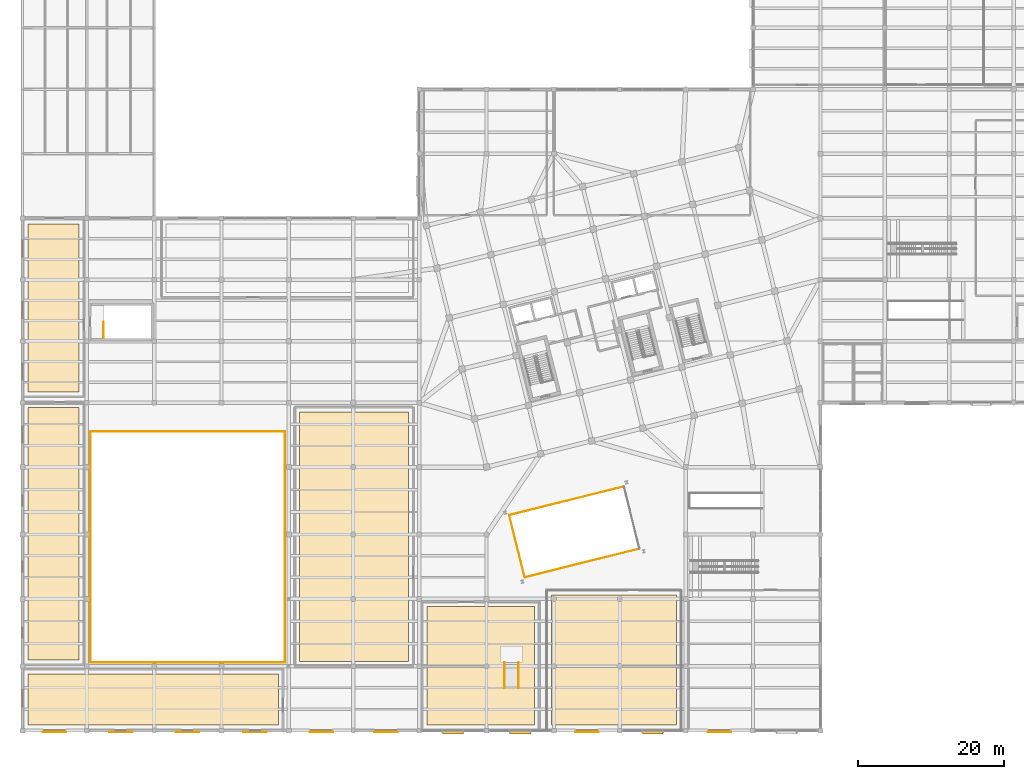
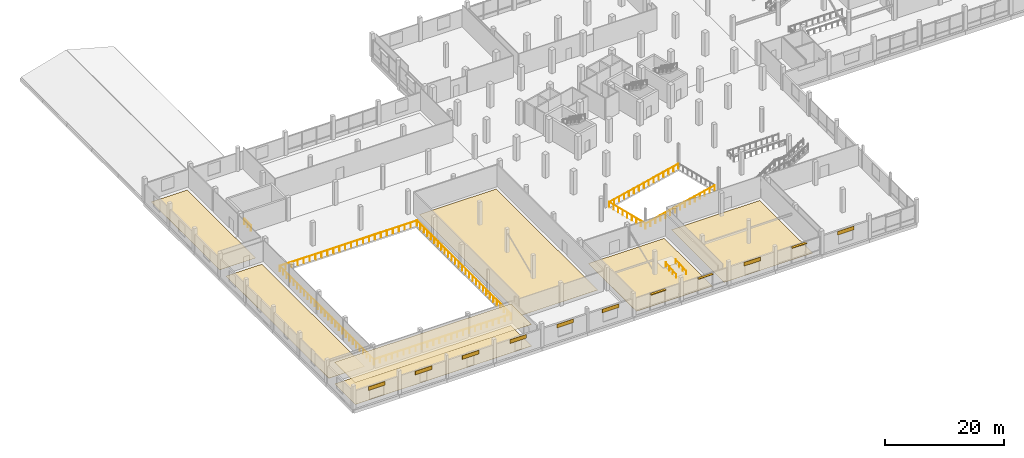
# One storey, part 67 of 71: 15 coverings, 10 railings, 3 shading devices.
"""IFC4 building model written with IfcOpenShell, lengths in metres."""

from ifc_helpers import new_model, si_unit, direction, frame, origin, origin_2d, place, context, subcontext, project, spatial, polyline, rectangle, circle, outline, extrude, material, layer, layer_set, type_object, element, save


model = new_model("IFC4")

# Units and contexts
model_context = context("Model", 3, precision=1e-05, world=origin(), true_north=direction((0.0, 1.0)))
body_context = subcontext(model_context, "Body", "Model", "MODEL_VIEW")
ifc_project = project(units=[si_unit("LENGTHUNIT", "METRE"), si_unit("AREAUNIT", "SQUARE_METRE"), si_unit("VOLUMEUNIT", "CUBIC_METRE"), si_unit("PLANEANGLEUNIT", "RADIAN"), si_unit("MASSUNIT", "GRAM", prefix="KILO")], contexts=[model_context])

# Site, building, storey
site_placement = place(None, origin())
site = spatial("IfcSite", under=ifc_project, at=site_placement, CompositionType="ELEMENT")
building_placement = place(site_placement, origin())
building = spatial("IfcBuilding", under=site, at=building_placement, Name="Meriwether Solvik Hall", CompositionType="ELEMENT")
storey_placement = place(building_placement, frame((0.0, 0.0, 5.10009765625)))
storey = spatial("IfcBuildingStorey", under=building, at=storey_placement, Name="L01", CompositionType="ELEMENT", Elevation=5.10009765625)

# Coverings
ifc_material_1 = material(Name="Moisture-Resistant Gypsum Board", Category="gypsum")
ifc_layer_1 = layer(ifc_material_1, 0.01806640625)
ifc_layer_set_1 = layer_set([ifc_layer_1], Name="Moisture-Resistant Gypsum Board")
covering_type_1 = type_object("IfcCoveringType", Name="COV-CEIL-GYP", PredefinedType="CEILING", material=ifc_layer_set_1)
covering_1_placement = place(storey_placement, frame((0.0, 0.0, 4.451904296875)))
element("IfcCovering", 1, at=covering_1_placement, inside=storey, type_object=covering_type_1, Name="Choir Rehearsal Studio Acoustic Soffit Ceiling", PredefinedType="CEILING", context=body_context, shape_type="SweptSolid", body=[
    extrude(outline(polyline([(40.14990234375, 6.0), (6.0, 6.0), (6.0, 12.949951171875), (40.14990234375, 12.949951171875), (40.14990234375, 6.0)])), origin(), (0.0, 0.0, 1.0), 0.01806640625),
])
ifc_material_2 = material(Name="Glazed Extruded Terracotta Ceramic", Category="masonry")
ifc_layer_2 = layer(ifc_material_2, 0.044921875)
ifc_layer_set_2 = layer_set([ifc_layer_2], Name="Glazed Extruded Terracotta Ceramic")
covering_type_2 = type_object("IfcCoveringType", Name="COV-CLAD-TERRA", PredefinedType="CLADDING", material=ifc_layer_set_2)
for number, where, z_axis, x_axis, name in (
    (2, (9.60009765625, 5.012451171875, 2.809814453125), (0.0, 0.0, 1.0), (-1.0, 0.0, 0.0), "L01 Facade Cladding XA_1_0"),
    (3, (18.64990234375, 5.02490234375, 2.809814453125), (0.0, 0.0, 1.0), (-1.0, 0.0, 0.0), "L01 Facade Cladding XA_2_1"),
    (4, (27.75, 5.012451171875, 2.809814453125), (0.0, 0.0, 1.0), (-1.0, 0.0, 0.0), "L01 Facade Cladding XA_3_2"),
    (5, (37.0, 5.02490234375, 2.809814453125), (0.0, 0.0, 1.0), (-1.0, 0.0, 0.0), "L01 Facade Cladding XA_4_3"),
    (6, (46.050048828125, 5.012451171875, 2.809814453125), (0.0, 0.0, 1.0), (-1.0, 0.0, 0.0), "L01 Facade Cladding XA_5_4"),
    (7, (54.85009765625, 5.02490234375, 2.809814453125), (0.0, 0.0, 1.0), (-1.0, 0.0, 0.0), "L01 Facade Cladding XA_6_5"),
    (8, (82.300048828125, 5.012451171875, 2.809814453125), (0.0, 0.0, 1.0), (-1.0, 0.0, 0.0), "L01 Facade Cladding XA_9_8"),
    (9, (100.39990234375, 5.012451171875, 2.809814453125), (0.0, 0.0, 1.0), (-1.0, 0.0, 0.0), "L01 Facade Cladding XA_11_10"),
):
    element("IfcCovering", number, at=place(storey_placement, frame(where, z_axis=z_axis, x_axis=x_axis)), inside=storey, type_object=covering_type_2, Name=name, PredefinedType="CLADDING", context=body_context, shape_type="SweptSolid", body=[
        extrude(rectangle(XDim=3.199951171875, YDim=0.044921875, at=origin_2d()), origin(), (0.0, 0.0, 1.0), 0.75),
    ])
ifc_material_3 = material(Name="Solid White Oak Strip Timber", Category="wood")
ifc_layer_3 = layer(ifc_material_3, 0.028076171875)
ifc_layer_set_3 = layer_set([ifc_layer_3], Name="Solid White Oak Strip Timber")
covering_type_3 = type_object("IfcCoveringType", Name="COV-FLR-OAK", PredefinedType="FLOORING", material=ifc_layer_set_3)
covering_2_placement = place(storey_placement, origin())
element("IfcCovering", 10, at=covering_2_placement, inside=storey, type_object=covering_type_3, Name="Choir Rehearsal Studio Finish Flooring", PredefinedType="FLOORING", context=body_context, shape_type="SweptSolid", body=[
    extrude(outline(polyline([(40.14990234375, 6.0), (6.0, 6.0), (6.0, 12.949951171875), (40.14990234375, 12.949951171875), (40.14990234375, 6.0)])), origin(), (0.0, 0.0, 1.0), 0.02783203125),
])
covering_3_placement = place(storey_placement, origin())
element("IfcCovering", 11, at=covering_3_placement, inside=storey, type_object=covering_type_3, Name="Smaller Community Hall Finish Flooring", PredefinedType="FLOORING", context=body_context, shape_type="SweptSolid", body=[
    extrude(outline(polyline([(75.14990234375, 22.14990234375), (75.14990234375, 6.0), (60.449951171875, 6.0), (60.449951171875, 22.14990234375), (75.14990234375, 22.14990234375)])), origin(), (0.0, 0.0, 1.0), 0.02783203125),
])
ifc_material_4 = material(Name="Polished Recycled-Aggregate Terrazzo", Category="stone")
ifc_layer_4 = layer(ifc_material_4, 0.02001953125)
ifc_layer_set_4 = layer_set([ifc_layer_4], Name="Polished Recycled-Aggregate Terrazzo")
covering_type_4 = type_object("IfcCoveringType", Name="COV-FLR-TERR", PredefinedType="FLOORING", material=ifc_layer_set_4)
covering_4_placement = place(storey_placement, origin())
element("IfcCovering", 12, at=covering_4_placement, inside=storey, type_object=covering_type_4, Name="Interfaith Outreach and Counseling Office Finish Flooring", PredefinedType="FLOORING", context=body_context, shape_type="SweptSolid", body=[
    extrude(outline(polyline([(12.949951171875, 14.85009765625), (6.0, 14.85009765625), (6.0, 49.35009765625), (12.949951171875, 49.35009765625), (12.949951171875, 14.85009765625)])), origin(), (0.0, 0.0, 1.0), 0.02001953125),
])
covering_5_placement = place(storey_placement, origin())
element("IfcCovering", 13, at=covering_5_placement, inside=storey, type_object=covering_type_4, Name="Community Program Operations Office Finish Flooring", PredefinedType="FLOORING", context=body_context, shape_type="SweptSolid", body=[
    extrude(outline(polyline([(6.0, 51.449951171875), (6.0, 74.39990234375), (12.949951171875, 74.39990234375), (12.949951171875, 51.449951171875), (6.0, 51.449951171875)])), origin(), (0.0, 0.0, 1.0), 0.02001953125),
])
covering_6_placement = place(storey_placement, origin())
element("IfcCovering", 14, at=covering_6_placement, inside=storey, type_object=covering_type_4, Name="Civic Broadcast and Media Suite Finish Flooring", PredefinedType="FLOORING", context=body_context, shape_type="SweptSolid", body=[
    extrude(outline(polyline([(57.949951171875, 48.75), (57.949951171875, 14.64990234375), (43.050048828125, 14.64990234375), (43.050048828125, 48.75), (57.949951171875, 48.75)])), origin(), (0.0, 0.0, 1.0), 0.02001953125),
])
covering_7_placement = place(storey_placement, origin())
element("IfcCovering", 15, at=covering_7_placement, inside=storey, type_object=covering_type_4, Name="Civic Program Administration Suite Finish Flooring", PredefinedType="FLOORING", context=body_context, shape_type="SweptSolid", body=[
    extrude(outline(polyline([(94.550048828125, 23.75), (94.550048828125, 6.0), (77.449951171875, 6.0), (77.449951171875, 23.75), (94.550048828125, 23.75)])), origin(), (0.0, 0.0, 1.0), 0.02001953125),
])

# Railings
ifc_material_5 = material(Name="Steel A36 Galvanised", Category="steel")
ifc_layer_5 = layer(ifc_material_5, 0.054931640625)
ifc_layer_set_5 = layer_set([ifc_layer_5], Name="Steel A36 Galvanised")
railing_type_1 = type_object("IfcRailingType", Name="RAIL-STR-GUARD", PredefinedType="GUARDRAIL", material=ifc_layer_set_5)
railing_1_placement = place(storey_placement, frame((16.2900390625, 58.800048828125, 0.0)))
element("IfcRailing", 16, at=railing_1_placement, inside=storey, type_object=railing_type_1, Name="Stair ST-04 Top Arrival Well Guardrail (L01)", PredefinedType="GUARDRAIL", context=body_context, shape_type="SweptSolid", body=[
    extrude(circle(Radius=0.02392578125, at=origin_2d()), frame((0.0, 0.0, 1.09619140625), z_axis=(0.0, 1.0, 0.0), x_axis=(-1.0, 0.0, 0.0)), (0.0, 0.0, 1.0), 2.199951171875),
    extrude(circle(Radius=0.02099609375, at=origin_2d()), origin(), (0.0, 0.0, 1.0), 1.072021484375),
    extrude(circle(Radius=0.02099609375, at=origin_2d()), frame((0.0, 1.10009765625, 0.0)), (0.0, 0.0, 1.0), 1.072021484375),
    extrude(circle(Radius=0.02099609375, at=origin_2d()), frame((0.0, 2.199951171875, 0.0)), (0.0, 0.0, 1.0), 1.072021484375),
])
ifc_material_6 = material(Name="Stainless Steel AISI 316", Category="steel")
ifc_layer_6 = layer(ifc_material_6, 0.044921875)
ifc_layer_set_6 = layer_set([ifc_layer_6], Name="Stainless Steel AISI 316")
railing_type_2 = type_object("IfcRailingType", Name="RAIL-STR-HAND", PredefinedType="HANDRAIL", material=ifc_layer_set_6)
for number, where, name in (
    (17, (71.050048828125, 11.0, 0.0), "Accessible Ramp AR3 Handrail W"),
    (18, (72.949951171875, 11.0, 0.0), "Accessible Ramp AR3 Handrail E"),
):
    element("IfcRailing", number, at=place(storey_placement, frame(where)), inside=storey, type_object=railing_type_2, Name=name, PredefinedType="HANDRAIL", context=body_context, shape_type="SweptSolid", body=[
        extrude(circle(Radius=0.02392578125, at=origin_2d()), frame((0.0, 0.0, 0.89599609375), z_axis=(0.0, 0.996820140651, 0.079684422516), x_axis=(-1.0, 0.0, 0.0)), (0.0, 0.0, 1.0), 3.51123046875),
        extrude(circle(Radius=0.02099609375, at=origin_2d()), origin(), (0.0, 0.0, 1.0), 0.871826171875),
        extrude(circle(Radius=0.02099609375, at=origin_2d()), frame((0.0, 1.166748046875, 0.09326171875)), (0.0, 0.0, 1.0), 0.871826171875),
        extrude(circle(Radius=0.02099609375, at=origin_2d()), frame((0.0, 2.333251953125, 0.1865234375)), (0.0, 0.0, 1.0), 0.871826171875),
        extrude(circle(Radius=0.02099609375, at=origin_2d()), frame((0.0, 3.5, 0.27978515625)), (0.0, 0.0, 1.0), 0.871826171875),
    ])
ifc_material_7 = material(Name="Laminated Tempered Glass and Stainless Steel AISI 316", Category="steel")
ifc_layer_7 = layer(ifc_material_7, 0.06005859375)
ifc_layer_set_7 = layer_set([ifc_layer_7], Name="Laminated Tempered Glass and Stainless Steel AISI 316")
railing_type_3 = type_object("IfcRailingType", Name="RAIL-TERR-1120", PredefinedType="GUARDRAIL", material=ifc_layer_set_7)
railing_2_placement = place(storey_placement, frame((14.552001953125, 14.52001953125, 0.0)))
element("IfcRailing", 19, at=railing_2_placement, inside=storey, type_object=railing_type_3, Name="L01 Sanctuary Upper Void Guardrail 1", PredefinedType="GUARDRAIL", context=body_context, shape_type="SweptSolid", body=[
    extrude(circle(Radius=0.02392578125, at=origin_2d()), frame((0.0, 0.0, 1.09619140625), z_axis=(1.0, 0.0, 0.0), x_axis=(0.0, 1.0, 0.0)), (0.0, 0.0, 1.0), 26.49609375),
    extrude(circle(Radius=0.02099609375, at=origin_2d()), origin(), (0.0, 0.0, 1.0), 1.072021484375),
    extrude(circle(Radius=0.02099609375, at=origin_2d()), frame((1.152099609375, 0.0, 0.0)), (0.0, 0.0, 1.0), 1.072021484375),
    extrude(circle(Radius=0.02099609375, at=origin_2d()), frame((2.303955078125, 0.0, 0.0)), (0.0, 0.0, 1.0), 1.072021484375),
    extrude(circle(Radius=0.02099609375, at=origin_2d()), frame((3.4560546875, 0.0, 0.0)), (0.0, 0.0, 1.0), 1.072021484375),
    extrude(circle(Radius=0.02099609375, at=origin_2d()), frame((4.60791015625, 0.0, 0.0)), (0.0, 0.0, 1.0), 1.072021484375),
    extrude(circle(Radius=0.02099609375, at=origin_2d()), frame((5.760009765625, 0.0, 0.0)), (0.0, 0.0, 1.0), 1.072021484375),
    extrude(circle(Radius=0.02099609375, at=origin_2d()), frame((6.912109375, 0.0, 0.0)), (0.0, 0.0, 1.0), 1.072021484375),
    extrude(circle(Radius=0.02099609375, at=origin_2d()), frame((8.06396484375, 0.0, 0.0)), (0.0, 0.0, 1.0), 1.072021484375),
    extrude(circle(Radius=0.02099609375, at=origin_2d()), frame((9.216064453125, 0.0, 0.0)), (0.0, 0.0, 1.0), 1.072021484375),
    extrude(circle(Radius=0.02099609375, at=origin_2d()), frame((10.367919921875, 0.0, 0.0)), (0.0, 0.0, 1.0), 1.072021484375),
    extrude(circle(Radius=0.02099609375, at=origin_2d()), frame((11.52001953125, 0.0, 0.0)), (0.0, 0.0, 1.0), 1.072021484375),
    extrude(circle(Radius=0.02099609375, at=origin_2d()), frame((12.672119140625, 0.0, 0.0)), (0.0, 0.0, 1.0), 1.072021484375),
    extrude(circle(Radius=0.02099609375, at=origin_2d()), frame((13.823974609375, 0.0, 0.0)), (0.0, 0.0, 1.0), 1.072021484375),
    extrude(circle(Radius=0.02099609375, at=origin_2d()), frame((14.97607421875, 0.0, 0.0)), (0.0, 0.0, 1.0), 1.072021484375),
    extrude(circle(Radius=0.02099609375, at=origin_2d()), frame((16.128173828125, 0.0, 0.0)), (0.0, 0.0, 1.0), 1.072021484375),
    extrude(circle(Radius=0.02099609375, at=origin_2d()), frame((17.280029296875, 0.0, 0.0)), (0.0, 0.0, 1.0), 1.072021484375),
    extrude(circle(Radius=0.02099609375, at=origin_2d()), frame((18.43212890625, 0.0, 0.0)), (0.0, 0.0, 1.0), 1.072021484375),
    extrude(circle(Radius=0.02099609375, at=origin_2d()), frame((19.583984375, 0.0, 0.0)), (0.0, 0.0, 1.0), 1.072021484375),
    extrude(circle(Radius=0.02099609375, at=origin_2d()), frame((20.736083984375, 0.0, 0.0)), (0.0, 0.0, 1.0), 1.072021484375),
    extrude(circle(Radius=0.02099609375, at=origin_2d()), frame((21.88818359375, 0.0, 0.0)), (0.0, 0.0, 1.0), 1.072021484375),
    extrude(circle(Radius=0.02099609375, at=origin_2d()), frame((23.0400390625, 0.0, 0.0)), (0.0, 0.0, 1.0), 1.072021484375),
    extrude(circle(Radius=0.02099609375, at=origin_2d()), frame((24.192138671875, 0.0, 0.0)), (0.0, 0.0, 1.0), 1.072021484375),
    extrude(circle(Radius=0.02099609375, at=origin_2d()), frame((25.343994140625, 0.0, 0.0)), (0.0, 0.0, 1.0), 1.072021484375),
    extrude(circle(Radius=0.02099609375, at=origin_2d()), frame((26.49609375, 0.0, 0.0)), (0.0, 0.0, 1.0), 1.072021484375),
])
railing_3_placement = place(storey_placement, frame((41.080078125, 14.552001953125, 0.0)))
element("IfcRailing", 20, at=railing_3_placement, inside=storey, type_object=railing_type_3, Name="L01 Sanctuary Upper Void Guardrail 2", PredefinedType="GUARDRAIL", context=body_context, shape_type="SweptSolid", body=[
    extrude(circle(Radius=0.02392578125, at=origin_2d()), frame((0.0, 0.0, 1.09619140625), z_axis=(0.0, 1.0, 0.0), x_axis=(-1.0, 0.0, 0.0)), (0.0, 0.0, 1.0), 31.49609375),
    extrude(circle(Radius=0.02099609375, at=origin_2d()), origin(), (0.0, 0.0, 1.0), 1.072021484375),
    extrude(circle(Radius=0.02099609375, at=origin_2d()), frame((0.0, 1.16650390625, 0.0)), (0.0, 0.0, 1.0), 1.072021484375),
    extrude(circle(Radius=0.02099609375, at=origin_2d()), frame((0.0, 2.3330078125, 0.0)), (0.0, 0.0, 1.0), 1.072021484375),
    extrude(circle(Radius=0.02099609375, at=origin_2d()), frame((0.0, 3.49951171875, 0.0)), (0.0, 0.0, 1.0), 1.072021484375),
    extrude(circle(Radius=0.02099609375, at=origin_2d()), frame((0.0, 4.666015625, 0.0)), (0.0, 0.0, 1.0), 1.072021484375),
    extrude(circle(Radius=0.02099609375, at=origin_2d()), frame((0.0, 5.83251953125, 0.0)), (0.0, 0.0, 1.0), 1.072021484375),
    extrude(circle(Radius=0.02099609375, at=origin_2d()), frame((0.0, 6.9990234375, 0.0)), (0.0, 0.0, 1.0), 1.072021484375),
    extrude(circle(Radius=0.02099609375, at=origin_2d()), frame((0.0, 8.165771484375, 0.0)), (0.0, 0.0, 1.0), 1.072021484375),
    extrude(circle(Radius=0.02099609375, at=origin_2d()), frame((0.0, 9.332275390625, 0.0)), (0.0, 0.0, 1.0), 1.072021484375),
    extrude(circle(Radius=0.02099609375, at=origin_2d()), frame((0.0, 10.498779296875, 0.0)), (0.0, 0.0, 1.0), 1.072021484375),
    extrude(circle(Radius=0.02099609375, at=origin_2d()), frame((0.0, 11.665283203125, 0.0)), (0.0, 0.0, 1.0), 1.072021484375),
    extrude(circle(Radius=0.02099609375, at=origin_2d()), frame((0.0, 12.831787109375, 0.0)), (0.0, 0.0, 1.0), 1.072021484375),
    extrude(circle(Radius=0.02099609375, at=origin_2d()), frame((0.0, 13.998291015625, 0.0)), (0.0, 0.0, 1.0), 1.072021484375),
    extrude(circle(Radius=0.02099609375, at=origin_2d()), frame((0.0, 15.164794921875, 0.0)), (0.0, 0.0, 1.0), 1.072021484375),
    extrude(circle(Radius=0.02099609375, at=origin_2d()), frame((0.0, 16.331298828125, 0.0)), (0.0, 0.0, 1.0), 1.072021484375),
    extrude(circle(Radius=0.02099609375, at=origin_2d()), frame((0.0, 17.497802734375, 0.0)), (0.0, 0.0, 1.0), 1.072021484375),
    extrude(circle(Radius=0.02099609375, at=origin_2d()), frame((0.0, 18.664306640625, 0.0)), (0.0, 0.0, 1.0), 1.072021484375),
    extrude(circle(Radius=0.02099609375, at=origin_2d()), frame((0.0, 19.830810546875, 0.0)), (0.0, 0.0, 1.0), 1.072021484375),
    extrude(circle(Radius=0.02099609375, at=origin_2d()), frame((0.0, 20.997314453125, 0.0)), (0.0, 0.0, 1.0), 1.072021484375),
    extrude(circle(Radius=0.02099609375, at=origin_2d()), frame((0.0, 22.163818359375, 0.0)), (0.0, 0.0, 1.0), 1.072021484375),
    extrude(circle(Radius=0.02099609375, at=origin_2d()), frame((0.0, 23.330322265625, 0.0)), (0.0, 0.0, 1.0), 1.072021484375),
    extrude(circle(Radius=0.02099609375, at=origin_2d()), frame((0.0, 24.4970703125, 0.0)), (0.0, 0.0, 1.0), 1.072021484375),
    extrude(circle(Radius=0.02099609375, at=origin_2d()), frame((0.0, 25.66357421875, 0.0)), (0.0, 0.0, 1.0), 1.072021484375),
    extrude(circle(Radius=0.02099609375, at=origin_2d()), frame((0.0, 26.830078125, 0.0)), (0.0, 0.0, 1.0), 1.072021484375),
    extrude(circle(Radius=0.02099609375, at=origin_2d()), frame((0.0, 27.99658203125, 0.0)), (0.0, 0.0, 1.0), 1.072021484375),
    extrude(circle(Radius=0.02099609375, at=origin_2d()), frame((0.0, 29.1630859375, 0.0)), (0.0, 0.0, 1.0), 1.072021484375),
    extrude(circle(Radius=0.02099609375, at=origin_2d()), frame((0.0, 30.32958984375, 0.0)), (0.0, 0.0, 1.0), 1.072021484375),
    extrude(circle(Radius=0.02099609375, at=origin_2d()), frame((0.0, 31.49609375, 0.0)), (0.0, 0.0, 1.0), 1.072021484375),
])
railing_4_placement = place(storey_placement, frame((41.048095703125, 46.080078125, 0.0)))
element("IfcRailing", 21, at=railing_4_placement, inside=storey, type_object=railing_type_3, Name="L01 Sanctuary Upper Void Guardrail 3", PredefinedType="GUARDRAIL", context=body_context, shape_type="SweptSolid", body=[
    extrude(circle(Radius=0.02392578125, at=origin_2d()), frame((0.0, 0.0, 1.09619140625), z_axis=(-1.0, 0.0, 0.0), x_axis=(0.0, -1.0, 0.0)), (0.0, 0.0, 1.0), 26.49609375),
    extrude(circle(Radius=0.02099609375, at=origin_2d()), origin(), (0.0, 0.0, 1.0), 1.072021484375),
    extrude(circle(Radius=0.02099609375, at=origin_2d()), frame((-1.152099609375, 0.0, 0.0)), (0.0, 0.0, 1.0), 1.072021484375),
    extrude(circle(Radius=0.02099609375, at=origin_2d()), frame((-2.303955078125, 0.0, 0.0)), (0.0, 0.0, 1.0), 1.072021484375),
    extrude(circle(Radius=0.02099609375, at=origin_2d()), frame((-3.4560546875, 0.0, 0.0)), (0.0, 0.0, 1.0), 1.072021484375),
    extrude(circle(Radius=0.02099609375, at=origin_2d()), frame((-4.60791015625, 0.0, 0.0)), (0.0, 0.0, 1.0), 1.072021484375),
    extrude(circle(Radius=0.02099609375, at=origin_2d()), frame((-5.760009765625, 0.0, 0.0)), (0.0, 0.0, 1.0), 1.072021484375),
    extrude(circle(Radius=0.02099609375, at=origin_2d()), frame((-6.912109375, 0.0, 0.0)), (0.0, 0.0, 1.0), 1.072021484375),
    extrude(circle(Radius=0.02099609375, at=origin_2d()), frame((-8.06396484375, 0.0, 0.0)), (0.0, 0.0, 1.0), 1.072021484375),
    extrude(circle(Radius=0.02099609375, at=origin_2d()), frame((-9.216064453125, 0.0, 0.0)), (0.0, 0.0, 1.0), 1.072021484375),
    extrude(circle(Radius=0.02099609375, at=origin_2d()), frame((-10.367919921875, 0.0, 0.0)), (0.0, 0.0, 1.0), 1.072021484375),
    extrude(circle(Radius=0.02099609375, at=origin_2d()), frame((-11.52001953125, 0.0, 0.0)), (0.0, 0.0, 1.0), 1.072021484375),
    extrude(circle(Radius=0.02099609375, at=origin_2d()), frame((-12.672119140625, 0.0, 0.0)), (0.0, 0.0, 1.0), 1.072021484375),
    extrude(circle(Radius=0.02099609375, at=origin_2d()), frame((-13.823974609375, 0.0, 0.0)), (0.0, 0.0, 1.0), 1.072021484375),
    extrude(circle(Radius=0.02099609375, at=origin_2d()), frame((-14.97607421875, 0.0, 0.0)), (0.0, 0.0, 1.0), 1.072021484375),
    extrude(circle(Radius=0.02099609375, at=origin_2d()), frame((-16.128173828125, 0.0, 0.0)), (0.0, 0.0, 1.0), 1.072021484375),
    extrude(circle(Radius=0.02099609375, at=origin_2d()), frame((-17.280029296875, 0.0, 0.0)), (0.0, 0.0, 1.0), 1.072021484375),
    extrude(circle(Radius=0.02099609375, at=origin_2d()), frame((-18.43212890625, 0.0, 0.0)), (0.0, 0.0, 1.0), 1.072021484375),
    extrude(circle(Radius=0.02099609375, at=origin_2d()), frame((-19.583984375, 0.0, 0.0)), (0.0, 0.0, 1.0), 1.072021484375),
    extrude(circle(Radius=0.02099609375, at=origin_2d()), frame((-20.736083984375, 0.0, 0.0)), (0.0, 0.0, 1.0), 1.072021484375),
    extrude(circle(Radius=0.02099609375, at=origin_2d()), frame((-21.88818359375, 0.0, 0.0)), (0.0, 0.0, 1.0), 1.072021484375),
    extrude(circle(Radius=0.02099609375, at=origin_2d()), frame((-23.0400390625, 0.0, 0.0)), (0.0, 0.0, 1.0), 1.072021484375),
    extrude(circle(Radius=0.02099609375, at=origin_2d()), frame((-24.192138671875, 0.0, 0.0)), (0.0, 0.0, 1.0), 1.072021484375),
    extrude(circle(Radius=0.02099609375, at=origin_2d()), frame((-25.343994140625, 0.0, 0.0)), (0.0, 0.0, 1.0), 1.072021484375),
    extrude(circle(Radius=0.02099609375, at=origin_2d()), frame((-26.49609375, 0.0, 0.0)), (0.0, 0.0, 1.0), 1.072021484375),
])
railing_5_placement = place(storey_placement, frame((14.52001953125, 46.048095703125, 0.0)))
element("IfcRailing", 22, at=railing_5_placement, inside=storey, type_object=railing_type_3, Name="L01 Sanctuary Upper Void Guardrail 4", PredefinedType="GUARDRAIL", context=body_context, shape_type="SweptSolid", body=[
    extrude(circle(Radius=0.02392578125, at=origin_2d()), frame((0.0, 0.0, 1.09619140625), z_axis=(0.0, -1.0, 0.0), x_axis=(1.0, 0.0, 0.0)), (0.0, 0.0, 1.0), 31.49609375),
    extrude(circle(Radius=0.02099609375, at=origin_2d()), origin(), (0.0, 0.0, 1.0), 1.072021484375),
    extrude(circle(Radius=0.02099609375, at=origin_2d()), frame((0.0, -1.16650390625, 0.0)), (0.0, 0.0, 1.0), 1.072021484375),
    extrude(circle(Radius=0.02099609375, at=origin_2d()), frame((0.0, -2.3330078125, 0.0)), (0.0, 0.0, 1.0), 1.072021484375),
    extrude(circle(Radius=0.02099609375, at=origin_2d()), frame((0.0, -3.49951171875, 0.0)), (0.0, 0.0, 1.0), 1.072021484375),
    extrude(circle(Radius=0.02099609375, at=origin_2d()), frame((0.0, -4.666015625, 0.0)), (0.0, 0.0, 1.0), 1.072021484375),
    extrude(circle(Radius=0.02099609375, at=origin_2d()), frame((0.0, -5.83251953125, 0.0)), (0.0, 0.0, 1.0), 1.072021484375),
    extrude(circle(Radius=0.02099609375, at=origin_2d()), frame((0.0, -6.9990234375, 0.0)), (0.0, 0.0, 1.0), 1.072021484375),
    extrude(circle(Radius=0.02099609375, at=origin_2d()), frame((0.0, -8.165771484375, 0.0)), (0.0, 0.0, 1.0), 1.072021484375),
    extrude(circle(Radius=0.02099609375, at=origin_2d()), frame((0.0, -9.332275390625, 0.0)), (0.0, 0.0, 1.0), 1.072021484375),
    extrude(circle(Radius=0.02099609375, at=origin_2d()), frame((0.0, -10.498779296875, 0.0)), (0.0, 0.0, 1.0), 1.072021484375),
    extrude(circle(Radius=0.02099609375, at=origin_2d()), frame((0.0, -11.665283203125, 0.0)), (0.0, 0.0, 1.0), 1.072021484375),
    extrude(circle(Radius=0.02099609375, at=origin_2d()), frame((0.0, -12.831787109375, 0.0)), (0.0, 0.0, 1.0), 1.072021484375),
    extrude(circle(Radius=0.02099609375, at=origin_2d()), frame((0.0, -13.998291015625, 0.0)), (0.0, 0.0, 1.0), 1.072021484375),
    extrude(circle(Radius=0.02099609375, at=origin_2d()), frame((0.0, -15.164794921875, 0.0)), (0.0, 0.0, 1.0), 1.072021484375),
    extrude(circle(Radius=0.02099609375, at=origin_2d()), frame((0.0, -16.331298828125, 0.0)), (0.0, 0.0, 1.0), 1.072021484375),
    extrude(circle(Radius=0.02099609375, at=origin_2d()), frame((0.0, -17.497802734375, 0.0)), (0.0, 0.0, 1.0), 1.072021484375),
    extrude(circle(Radius=0.02099609375, at=origin_2d()), frame((0.0, -18.664306640625, 0.0)), (0.0, 0.0, 1.0), 1.072021484375),
    extrude(circle(Radius=0.02099609375, at=origin_2d()), frame((0.0, -19.830810546875, 0.0)), (0.0, 0.0, 1.0), 1.072021484375),
    extrude(circle(Radius=0.02099609375, at=origin_2d()), frame((0.0, -20.997314453125, 0.0)), (0.0, 0.0, 1.0), 1.072021484375),
    extrude(circle(Radius=0.02099609375, at=origin_2d()), frame((0.0, -22.163818359375, 0.0)), (0.0, 0.0, 1.0), 1.072021484375),
    extrude(circle(Radius=0.02099609375, at=origin_2d()), frame((0.0, -23.330322265625, 0.0)), (0.0, 0.0, 1.0), 1.072021484375),
    extrude(circle(Radius=0.02099609375, at=origin_2d()), frame((0.0, -24.4970703125, 0.0)), (0.0, 0.0, 1.0), 1.072021484375),
    extrude(circle(Radius=0.02099609375, at=origin_2d()), frame((0.0, -25.66357421875, 0.0)), (0.0, 0.0, 1.0), 1.072021484375),
    extrude(circle(Radius=0.02099609375, at=origin_2d()), frame((0.0, -26.830078125, 0.0)), (0.0, 0.0, 1.0), 1.072021484375),
    extrude(circle(Radius=0.02099609375, at=origin_2d()), frame((0.0, -27.99658203125, 0.0)), (0.0, 0.0, 1.0), 1.072021484375),
    extrude(circle(Radius=0.02099609375, at=origin_2d()), frame((0.0, -29.1630859375, 0.0)), (0.0, 0.0, 1.0), 1.072021484375),
    extrude(circle(Radius=0.02099609375, at=origin_2d()), frame((0.0, -30.32958984375, 0.0)), (0.0, 0.0, 1.0), 1.072021484375),
    extrude(circle(Radius=0.02099609375, at=origin_2d()), frame((0.0, -31.49609375, 0.0)), (0.0, 0.0, 1.0), 1.072021484375),
])
railing_6_placement = place(storey_placement, frame((73.8505859375, 26.14306640625, 0.0)))
element("IfcRailing", 23, at=railing_6_placement, inside=storey, type_object=railing_type_3, Name="L01 Civic Atrium Cleft Guardrail 1", PredefinedType="GUARDRAIL", context=body_context, shape_type="SweptSolid", body=[
    extrude(circle(Radius=0.02392578125, at=origin_2d()), frame((0.0, 0.0, 1.09619140625), z_axis=(0.970298438081, 0.241911018883, 0.0), x_axis=(-0.241911018883, 0.970298438081, 0.0)), (0.0, 0.0, 1.0), 16.095947265625),
    extrude(circle(Radius=0.02099609375, at=origin_2d()), origin(), (0.0, 0.0, 1.0), 1.072021484375),
    extrude(circle(Radius=0.02099609375, at=origin_2d()), frame((1.115478515625, 0.278076171875, 0.0)), (0.0, 0.0, 1.0), 1.072021484375),
    extrude(circle(Radius=0.02099609375, at=origin_2d()), frame((2.231201171875, 0.55615234375, 0.0)), (0.0, 0.0, 1.0), 1.072021484375),
    extrude(circle(Radius=0.02099609375, at=origin_2d()), frame((3.3466796875, 0.83447265625, 0.0)), (0.0, 0.0, 1.0), 1.072021484375),
    extrude(circle(Radius=0.02099609375, at=origin_2d()), frame((4.462158203125, 1.112548828125, 0.0)), (0.0, 0.0, 1.0), 1.072021484375),
    extrude(circle(Radius=0.02099609375, at=origin_2d()), frame((5.577880859375, 1.390625, 0.0)), (0.0, 0.0, 1.0), 1.072021484375),
    extrude(circle(Radius=0.02099609375, at=origin_2d()), frame((6.693359375, 1.668701171875, 0.0)), (0.0, 0.0, 1.0), 1.072021484375),
    extrude(circle(Radius=0.02099609375, at=origin_2d()), frame((7.80908203125, 1.94677734375, 0.0)), (0.0, 0.0, 1.0), 1.072021484375),
    extrude(circle(Radius=0.02099609375, at=origin_2d()), frame((8.924560546875, 2.22509765625, 0.0)), (0.0, 0.0, 1.0), 1.072021484375),
    extrude(circle(Radius=0.02099609375, at=origin_2d()), frame((10.0400390625, 2.503173828125, 0.0)), (0.0, 0.0, 1.0), 1.072021484375),
    extrude(circle(Radius=0.02099609375, at=origin_2d()), frame((11.15576171875, 2.78125, 0.0)), (0.0, 0.0, 1.0), 1.072021484375),
    extrude(circle(Radius=0.02099609375, at=origin_2d()), frame((12.271240234375, 3.059326171875, 0.0)), (0.0, 0.0, 1.0), 1.072021484375),
    extrude(circle(Radius=0.02099609375, at=origin_2d()), frame((13.38671875, 3.337646484375, 0.0)), (0.0, 0.0, 1.0), 1.072021484375),
    extrude(circle(Radius=0.02099609375, at=origin_2d()), frame((14.50244140625, 3.61572265625, 0.0)), (0.0, 0.0, 1.0), 1.072021484375),
    extrude(circle(Radius=0.02099609375, at=origin_2d()), frame((15.617919921875, 3.893798828125, 0.0)), (0.0, 0.0, 1.0), 1.072021484375),
])
railing_7_placement = place(storey_placement, frame((87.34912109375, 38.53662109375, 0.0)))
element("IfcRailing", 24, at=railing_7_placement, inside=storey, type_object=railing_type_3, Name="L01 Civic Atrium Cleft Guardrail 3", PredefinedType="GUARDRAIL", context=body_context, shape_type="SweptSolid", body=[
    extrude(circle(Radius=0.02392578125, at=origin_2d()), frame((0.0, 0.0, 1.09619140625), z_axis=(-0.970297550429, -0.241914579206, 0.0), x_axis=(0.241914579206, -0.970297550429, 0.0)), (0.0, 0.0, 1.0), 16.095703125),
    extrude(circle(Radius=0.02099609375, at=origin_2d()), origin(), (0.0, 0.0, 1.0), 1.072021484375),
    extrude(circle(Radius=0.02099609375, at=origin_2d()), frame((-1.115478515625, -0.278076171875, 0.0)), (0.0, 0.0, 1.0), 1.072021484375),
    extrude(circle(Radius=0.02099609375, at=origin_2d()), frame((-2.231201171875, -0.55615234375, 0.0)), (0.0, 0.0, 1.0), 1.072021484375),
    extrude(circle(Radius=0.02099609375, at=origin_2d()), frame((-3.3466796875, -0.83447265625, 0.0)), (0.0, 0.0, 1.0), 1.072021484375),
    extrude(circle(Radius=0.02099609375, at=origin_2d()), frame((-4.462158203125, -1.112548828125, 0.0)), (0.0, 0.0, 1.0), 1.072021484375),
    extrude(circle(Radius=0.02099609375, at=origin_2d()), frame((-5.57763671875, -1.390625, 0.0)), (0.0, 0.0, 1.0), 1.072021484375),
    extrude(circle(Radius=0.02099609375, at=origin_2d()), frame((-6.693359375, -1.668701171875, 0.0)), (0.0, 0.0, 1.0), 1.072021484375),
    extrude(circle(Radius=0.02099609375, at=origin_2d()), frame((-7.808837890625, -1.94677734375, 0.0)), (0.0, 0.0, 1.0), 1.072021484375),
    extrude(circle(Radius=0.02099609375, at=origin_2d()), frame((-8.92431640625, -2.22509765625, 0.0)), (0.0, 0.0, 1.0), 1.072021484375),
    extrude(circle(Radius=0.02099609375, at=origin_2d()), frame((-10.0400390625, -2.503173828125, 0.0)), (0.0, 0.0, 1.0), 1.072021484375),
    extrude(circle(Radius=0.02099609375, at=origin_2d()), frame((-11.155517578125, -2.78125, 0.0)), (0.0, 0.0, 1.0), 1.072021484375),
    extrude(circle(Radius=0.02099609375, at=origin_2d()), frame((-12.27099609375, -3.059326171875, 0.0)), (0.0, 0.0, 1.0), 1.072021484375),
    extrude(circle(Radius=0.02099609375, at=origin_2d()), frame((-13.386474609375, -3.337646484375, 0.0)), (0.0, 0.0, 1.0), 1.072021484375),
    extrude(circle(Radius=0.02099609375, at=origin_2d()), frame((-14.502197265625, -3.61572265625, 0.0)), (0.0, 0.0, 1.0), 1.072021484375),
    extrude(circle(Radius=0.02099609375, at=origin_2d()), frame((-15.61767578125, -3.893798828125, 0.0)), (0.0, 0.0, 1.0), 1.072021484375),
])
railing_8_placement = place(storey_placement, frame((71.7080078125, 34.60400390625, 0.0)))
element("IfcRailing", 25, at=railing_8_placement, inside=storey, type_object=railing_type_3, Name="L01 Civic Atrium Cleft Guardrail 4", PredefinedType="GUARDRAIL", context=body_context, shape_type="SweptSolid", body=[
    extrude(circle(Radius=0.02392578125, at=origin_2d()), frame((0.0, 0.0, 1.09619140625), z_axis=(0.241921231997, -0.970295891731, 0.0), x_axis=(0.970295891731, 0.241921231997, 0.0)), (0.0, 0.0, 1.0), 8.696044921875),
    extrude(circle(Radius=0.02099609375, at=origin_2d()), origin(), (0.0, 0.0, 1.0), 1.072021484375),
    extrude(circle(Radius=0.02099609375, at=origin_2d()), frame((0.262939453125, -1.0546875, 0.0)), (0.0, 0.0, 1.0), 1.072021484375),
    extrude(circle(Radius=0.02099609375, at=origin_2d()), frame((0.52587890625, -2.109375, 0.0)), (0.0, 0.0, 1.0), 1.072021484375),
    extrude(circle(Radius=0.02099609375, at=origin_2d()), frame((0.788818359375, -3.1640625, 0.0)), (0.0, 0.0, 1.0), 1.072021484375),
    extrude(circle(Radius=0.02099609375, at=origin_2d()), frame((1.0517578125, -4.21875, 0.0)), (0.0, 0.0, 1.0), 1.072021484375),
    extrude(circle(Radius=0.02099609375, at=origin_2d()), frame((1.31494140625, -5.273681640625, 0.0)), (0.0, 0.0, 1.0), 1.072021484375),
    extrude(circle(Radius=0.02099609375, at=origin_2d()), frame((1.577880859375, -6.328369140625, 0.0)), (0.0, 0.0, 1.0), 1.072021484375),
    extrude(circle(Radius=0.02099609375, at=origin_2d()), frame((1.8408203125, -7.383056640625, 0.0)), (0.0, 0.0, 1.0), 1.072021484375),
    extrude(circle(Radius=0.02099609375, at=origin_2d()), frame((2.103759765625, -8.437744140625, 0.0)), (0.0, 0.0, 1.0), 1.072021484375),
])

# Shading devices
ifc_material_8 = material(Name="Anodised Aluminium 6063-T6", Category="aluminium")
shading_device_type = type_object("IfcShadingDeviceType", Name="SHD-LOUVRE-S", PredefinedType="SHUTTER", material=ifc_material_8)
for number, where, z_axis, x_axis, name in (
    (26, (64.0, 4.9599609375, 3.349853515625), (0.0, 0.0, 1.0), (-1.0, 0.0, 0.0), "Solar Shading Louvre wing_XA_7_6"),
    (27, (73.199951171875, 4.9599609375, 3.349853515625), (0.0, 0.0, 1.0), (-1.0, 0.0, 0.0), "Solar Shading Louvre wing_XA_8_7"),
):
    element("IfcShadingDevice", number, at=place(storey_placement, frame(where, z_axis=z_axis, x_axis=x_axis)), inside=storey, type_object=shading_device_type, Name=name, PredefinedType="SHUTTER", context=body_context, shape_type="SweptSolid", body=[
        extrude(rectangle(XDim=2.89404296875, YDim=0.4599609375, at=origin_2d()), origin(), (0.0, 0.0, 1.0), 0.080078125),
    ])
shading_device_placement = place(storey_placement, frame((91.300048828125, 4.9599609375, 3.349853515625), z_axis=(0.0, 0.0, 1.0), x_axis=(-1.0, 0.0, 0.0)))
element("IfcShadingDevice", 28, at=shading_device_placement, inside=storey, type_object=shading_device_type, Name="Solar Shading Louvre wing_XA_10_9", PredefinedType="SHUTTER", context=body_context, shape_type="SweptSolid", body=[
    extrude(rectangle(XDim=2.827392578125, YDim=0.4599609375, at=origin_2d()), origin(), (0.0, 0.0, 1.0), 0.080078125),
])

save(model, "model.ifc")
